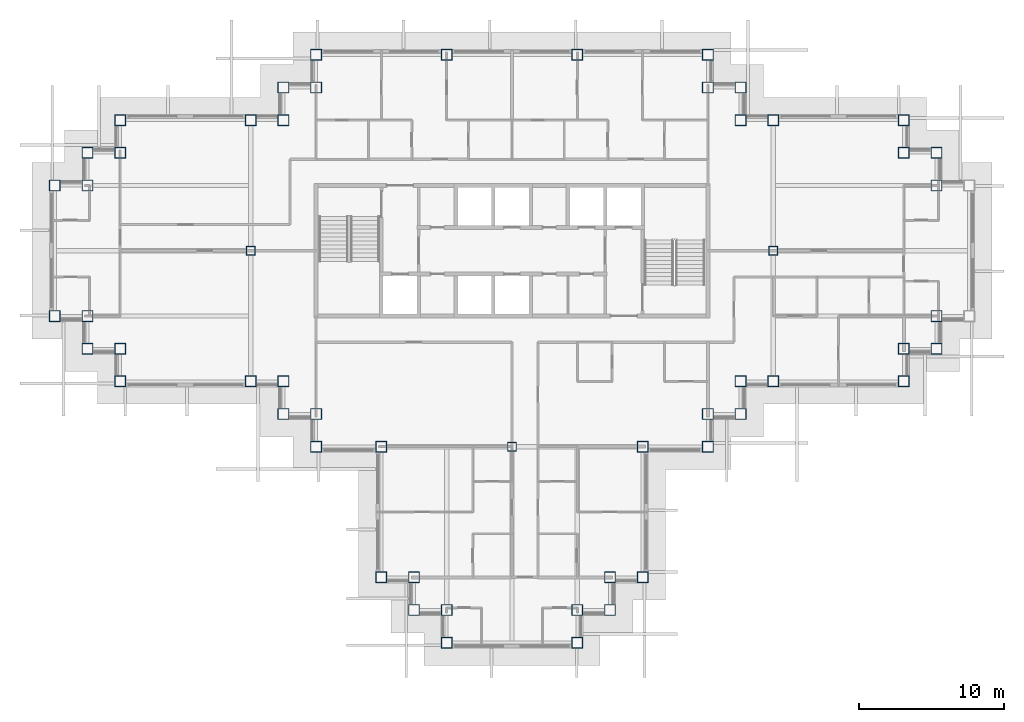
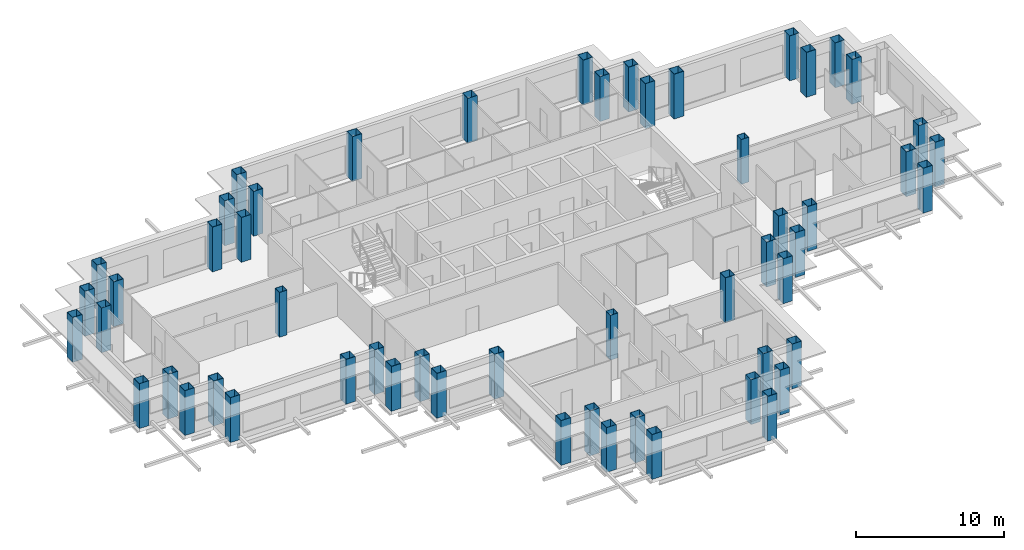
# One storey, part 1 of 15: 55 columns.
"""IFC4 building model written with IfcOpenShell, lengths in metres."""

from ifc_helpers import new_model, si_unit, direction, frame, origin, origin_2d, place, context, subcontext, project, spatial, hollow_rectangle, extrude, material, material_profile, profile_set, type_object, element, save


model = new_model("IFC4")

# Units and contexts
model_context = context("Model", 3, precision=1e-05, world=origin(), true_north=direction((0.0, 1.0)))
body_context = subcontext(model_context, "Body", "Model", "MODEL_VIEW")
ifc_project = project(units=[si_unit("LENGTHUNIT", "METRE"), si_unit("AREAUNIT", "SQUARE_METRE"), si_unit("VOLUMEUNIT", "CUBIC_METRE"), si_unit("PLANEANGLEUNIT", "RADIAN"), si_unit("MASSUNIT", "GRAM", prefix="KILO")], contexts=[model_context])

# Site, building, storey
site_placement = place(None, origin())
site = spatial("IfcSite", under=ifc_project, at=site_placement, CompositionType="ELEMENT")
building_placement = place(site_placement, origin())
building = spatial("IfcBuilding", under=site, at=building_placement, Name="Caravel Reach Hotel and Residences", CompositionType="ELEMENT")
storey_placement = place(building_placement, frame((0.0, 0.0, 172.800048828125)))
storey = spatial("IfcBuildingStorey", under=building, at=storey_placement, Name="L43", CompositionType="ELEMENT", Elevation=172.800048828125)

# Columns
ifc_material_1 = material(Name="Concrete-filled steel tube Q390B with Concrete C60 infill", Category="concrete")
ifc_material_profile_1 = material_profile(ifc_material_1, hollow_rectangle(XDim=0.60009765625, YDim=0.60009765625, WallThickness=0.02001953125, at=origin_2d()), Name="RHS 600x600x20")
ifc_profile_set_1 = profile_set([ifc_material_profile_1], Name="Concrete-filled steel tube Q390B with Concrete C60 infill")
column_type_1 = type_object("IfcColumnType", Name="CFT 600x600 Q390B C60", PredefinedType="COLUMN", material=ifc_profile_set_1)
for number, where, z_axis, x_axis, name in (
    (1, (31.5, 13.5, 0.0), (0.0, 0.0, 1.0), (1.0, 0.0, 0.0), "C8 column"),
    (2, (13.5, 27.0, 0.0), (0.0, 0.0, 1.0), (1.0, 0.0, 0.0), "C8 column"),
    (3, (49.5, 27.0, 0.0), (0.0, 0.0, 1.0), (1.0, 0.0, 0.0), "C8 column"),
):
    element("IfcColumn", number, at=place(storey_placement, frame(where, z_axis=z_axis, x_axis=x_axis)), inside=storey, type_object=column_type_1, Name=name, PredefinedType="COLUMN", context=body_context, shape_type="SweptSolid", body=[
        extrude(hollow_rectangle(XDim=0.60009765625, YDim=0.60009765625, WallThickness=0.02001953125, at=origin_2d()), origin(), (0.0, 0.0, 1.0), 3.699951171875),
    ])
ifc_material_2 = material(Name="Concrete-filled steel tube Q390B with Concrete C60 infill", Category="concrete")
ifc_material_profile_2 = material_profile(ifc_material_2, hollow_rectangle(XDim=0.75, YDim=0.75, WallThickness=0.02392578125, at=origin_2d()), Name="RHS 750x750x24")
ifc_profile_set_2 = profile_set([ifc_material_profile_2], Name="Concrete-filled steel tube Q390B with Concrete C60 infill")
column_type_2 = type_object("IfcColumnType", Name="CFT 750x750 Q390B C60", PredefinedType="COLUMN", material=ifc_profile_set_2)
for number, where, z_axis, x_axis, name in (
    (4, (22.5, 4.5, 0.0), (0.0, 0.0, 1.0), (1.0, 0.0, 0.0), "C14 column"),
    (5, (24.75, 4.5, 0.0), (0.0, 0.0, 1.0), (1.0, 0.0, 0.0), "C14 column"),
    (6, (24.75, 2.25, 0.0), (0.0, 0.0, 1.0), (1.0, 0.0, 0.0), "C14 column"),
    (7, (27.0, 2.25, 0.0), (0.0, 0.0, 1.0), (1.0, 0.0, 0.0), "C14 column"),
    (8, (27.0, 0.0, 0.0), (0.0, 0.0, 1.0), (1.0, 0.0, 0.0), "C14 column"),
    (9, (36.0, 0.0, 0.0), (0.0, 0.0, 1.0), (1.0, 0.0, 0.0), "C14 column"),
    (10, (36.0, 2.25, 0.0), (0.0, 0.0, 1.0), (1.0, 0.0, 0.0), "C14 column"),
    (11, (38.25, 2.25, 0.0), (0.0, 0.0, 1.0), (1.0, 0.0, 0.0), "C14 column"),
    (12, (38.25, 4.5, 0.0), (0.0, 0.0, 1.0), (1.0, 0.0, 0.0), "C14 column"),
    (13, (40.5, 4.5, 0.0), (0.0, 0.0, 1.0), (1.0, 0.0, 0.0), "C14 column"),
    (14, (40.5, 13.5, 0.0), (0.0, 0.0, 1.0), (1.0, 0.0, 0.0), "C14 column"),
    (15, (45.0, 13.5, 0.0), (0.0, 0.0, 1.0), (1.0, 0.0, 0.0), "C14 column"),
    (16, (45.0, 15.75, 0.0), (0.0, 0.0, 1.0), (1.0, 0.0, 0.0), "C14 column"),
    (17, (47.25, 15.75, 0.0), (0.0, 0.0, 1.0), (1.0, 0.0, 0.0), "C14 column"),
    (18, (47.25, 18.0, 0.0), (0.0, 0.0, 1.0), (1.0, 0.0, 0.0), "C14 column"),
    (19, (49.5, 18.0, 0.0), (0.0, 0.0, 1.0), (1.0, 0.0, 0.0), "C14 column"),
    (20, (58.5, 18.0, 0.0), (0.0, 0.0, 1.0), (1.0, 0.0, 0.0), "C14 column"),
    (21, (58.5, 20.25, 0.0), (0.0, 0.0, 1.0), (1.0, 0.0, 0.0), "C14 column"),
    (22, (60.75, 20.25, 0.0), (0.0, 0.0, 1.0), (1.0, 0.0, 0.0), "C14 column"),
    (23, (60.75, 22.5, 0.0), (0.0, 0.0, 1.0), (1.0, 0.0, 0.0), "C14 column"),
    (24, (60.75, 31.5, 0.0), (0.0, 0.0, 1.0), (1.0, 0.0, 0.0), "C14 column"),
    (25, (60.75, 33.75, 0.0), (0.0, 0.0, 1.0), (1.0, 0.0, 0.0), "C14 column"),
    (26, (58.5, 33.75, 0.0), (0.0, 0.0, 1.0), (1.0, 0.0, 0.0), "C14 column"),
    (27, (58.5, 36.0, 0.0), (0.0, 0.0, 1.0), (1.0, 0.0, 0.0), "C14 column"),
    (28, (49.5, 36.0, 0.0), (0.0, 0.0, 1.0), (1.0, 0.0, 0.0), "C14 column"),
    (29, (47.25, 36.0, 0.0), (0.0, 0.0, 1.0), (1.0, 0.0, 0.0), "C14 column"),
    (30, (47.25, 38.25, 0.0), (0.0, 0.0, 1.0), (1.0, 0.0, 0.0), "C14 column"),
    (31, (45.0, 38.25, 0.0), (0.0, 0.0, 1.0), (1.0, 0.0, 0.0), "C14 column"),
    (32, (45.0, 40.5, 0.0), (0.0, 0.0, 1.0), (1.0, 0.0, 0.0), "C14 column"),
    (33, (36.0, 40.5, 0.0), (0.0, 0.0, 1.0), (1.0, 0.0, 0.0), "C14 column"),
    (34, (27.0, 40.5, 0.0), (0.0, 0.0, 1.0), (1.0, 0.0, 0.0), "C14 column"),
    (35, (18.0, 40.5, 0.0), (0.0, 0.0, 1.0), (1.0, 0.0, 0.0), "C14 column"),
    (36, (18.0, 38.25, 0.0), (0.0, 0.0, 1.0), (1.0, 0.0, 0.0), "C14 column"),
    (37, (15.75, 38.25, 0.0), (0.0, 0.0, 1.0), (1.0, 0.0, 0.0), "C14 column"),
    (38, (15.75, 36.0, 0.0), (0.0, 0.0, 1.0), (1.0, 0.0, 0.0), "C14 column"),
    (39, (13.5, 36.0, 0.0), (0.0, 0.0, 1.0), (1.0, 0.0, 0.0), "C14 column"),
    (40, (4.5, 36.0, 0.0), (0.0, 0.0, 1.0), (1.0, 0.0, 0.0), "C14 column"),
    (41, (4.5, 33.75, 0.0), (0.0, 0.0, 1.0), (1.0, 0.0, 0.0), "C14 column"),
    (42, (2.25, 33.75, 0.0), (0.0, 0.0, 1.0), (1.0, 0.0, 0.0), "C14 column"),
    (43, (2.25, 31.5, 0.0), (0.0, 0.0, 1.0), (1.0, 0.0, 0.0), "C14 column"),
    (44, (0.0, 31.5, 0.0), (0.0, 0.0, 1.0), (1.0, 0.0, 0.0), "C14 column"),
    (45, (0.0, 22.5, 0.0), (0.0, 0.0, 1.0), (1.0, 0.0, 0.0), "C14 column"),
    (46, (2.25, 22.5, 0.0), (0.0, 0.0, 1.0), (1.0, 0.0, 0.0), "C14 column"),
    (47, (2.25, 20.25, 0.0), (0.0, 0.0, 1.0), (1.0, 0.0, 0.0), "C14 column"),
    (48, (4.5, 20.25, 0.0), (0.0, 0.0, 1.0), (1.0, 0.0, 0.0), "C14 column"),
    (49, (4.5, 18.0, 0.0), (0.0, 0.0, 1.0), (1.0, 0.0, 0.0), "C14 column"),
    (50, (13.5, 18.0, 0.0), (0.0, 0.0, 1.0), (1.0, 0.0, 0.0), "C14 column"),
    (51, (15.75, 18.0, 0.0), (0.0, 0.0, 1.0), (1.0, 0.0, 0.0), "C14 column"),
    (52, (15.75, 15.75, 0.0), (0.0, 0.0, 1.0), (1.0, 0.0, 0.0), "C14 column"),
    (53, (18.0, 15.75, 0.0), (0.0, 0.0, 1.0), (1.0, 0.0, 0.0), "C14 column"),
    (54, (18.0, 13.5, 0.0), (0.0, 0.0, 1.0), (1.0, 0.0, 0.0), "C14 column"),
    (55, (22.5, 13.5, 0.0), (0.0, 0.0, 1.0), (1.0, 0.0, 0.0), "C14 column"),
):
    element("IfcColumn", number, at=place(storey_placement, frame(where, z_axis=z_axis, x_axis=x_axis)), inside=storey, type_object=column_type_2, Name=name, PredefinedType="COLUMN", context=body_context, shape_type="SweptSolid", body=[
        extrude(hollow_rectangle(XDim=0.75, YDim=0.75, WallThickness=0.02392578125, at=origin_2d()), origin(), (0.0, 0.0, 1.0), 3.699951171875),
    ])

save(model, "model.ifc")
